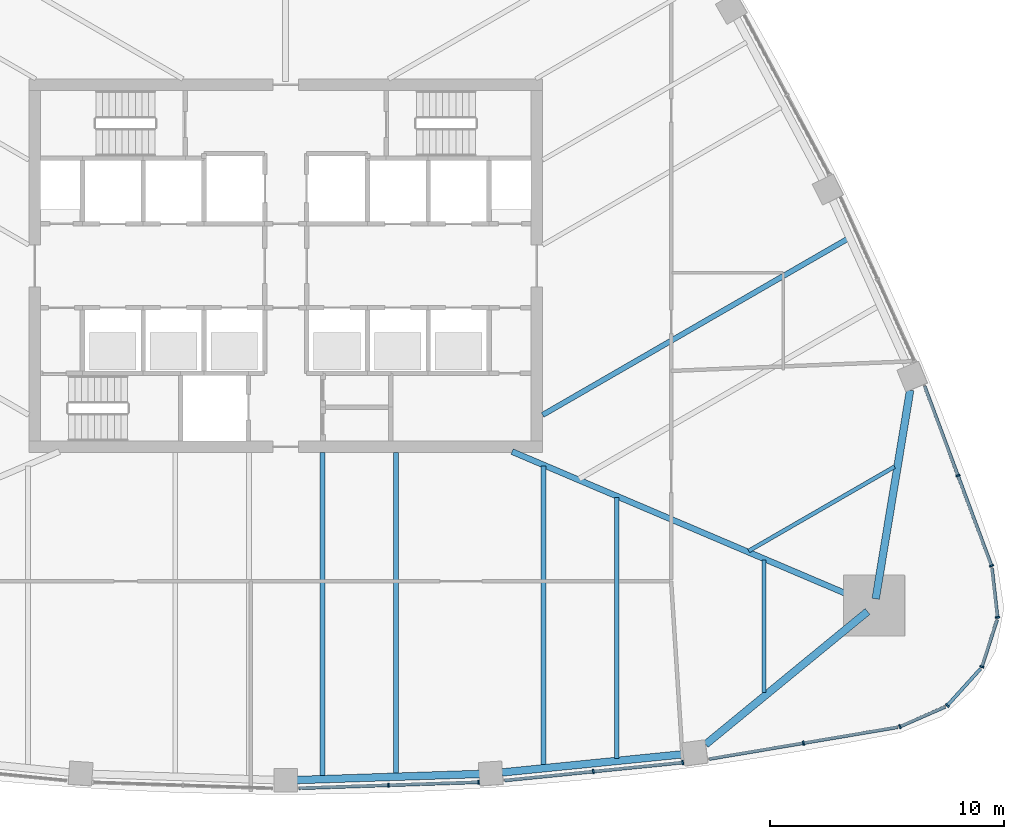
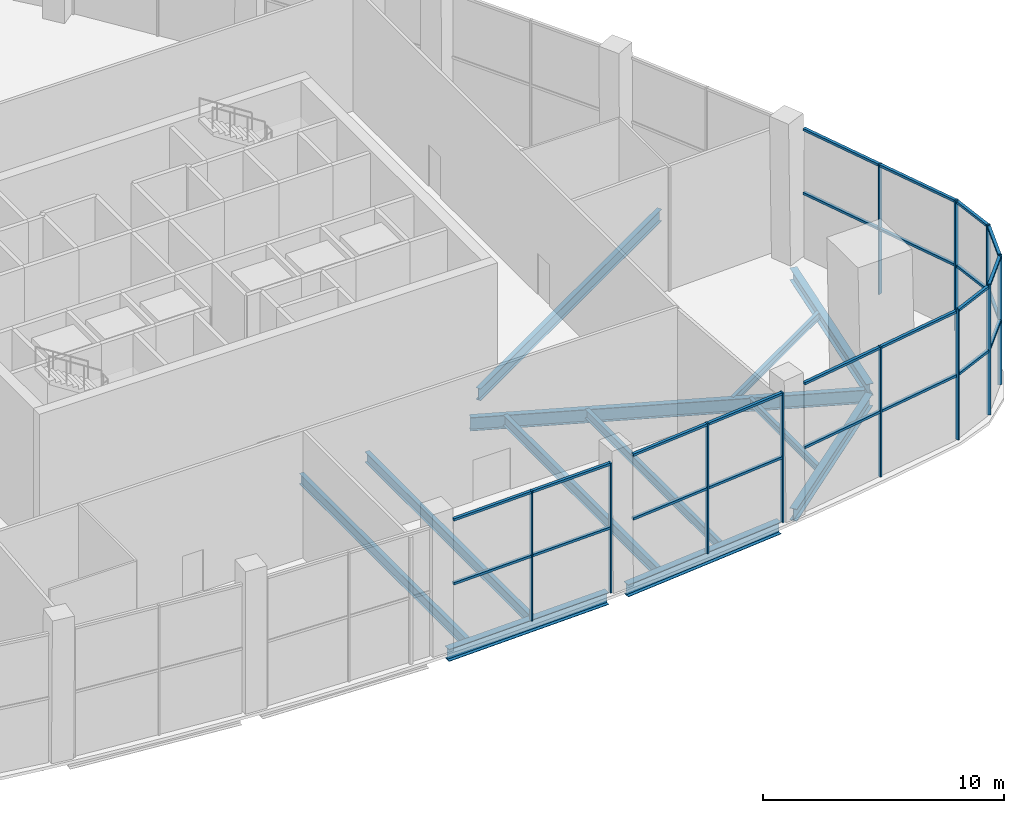
# One storey, part 4 of 15: 35 members, 12 beams, 8 elements without a shape of their own.
"""IFC4 building model written with IfcOpenShell, lengths in metres."""

from ifc_helpers import new_model, si_unit, direction, frame, origin, origin_2d, place, context, subcontext, project, spatial, rectangle, i_section, extrude, material, layer, layer_set, material_profile, profile_set, type_object, element, aggregate, save


model = new_model("IFC4")

# Units and contexts
model_context = context("Model", 3, precision=1e-05, world=origin(), true_north=direction((0.0, 1.0)))
body_context = subcontext(model_context, "Body", "Model", "MODEL_VIEW")
ifc_project = project(units=[si_unit("LENGTHUNIT", "METRE"), si_unit("AREAUNIT", "SQUARE_METRE"), si_unit("VOLUMEUNIT", "CUBIC_METRE"), si_unit("PLANEANGLEUNIT", "RADIAN"), si_unit("MASSUNIT", "GRAM", prefix="KILO")], contexts=[model_context])

# Site, building, storey
site_placement = place(None, origin())
site = spatial("IfcSite", under=ifc_project, at=site_placement, CompositionType="ELEMENT")
building_placement = place(site_placement, origin())
building = spatial("IfcBuilding", under=site, at=building_placement, Name="Sierra Prisma Convention Tower", CompositionType="ELEMENT")
storey_placement = place(building_placement, frame((0.0, 0.0, 118.60009765625)))
storey = spatial("IfcBuildingStorey", under=building, at=storey_placement, Name="L25", CompositionType="ELEMENT", Elevation=118.60009765625)

# Curtain wall, members
ifc_material_1 = material(Name="Aluminium and glass curtain wall", Category="aluminium")
ifc_layer = layer(ifc_material_1, 0.179931640625)
ifc_layer_set = layer_set([ifc_layer], Name="CW-4 Sky lobby double-height curtain wall")
curtain_wall_type = type_object("IfcCurtainWallType", Name="CW-4 Sky lobby double-height curtain wall", PredefinedType="NOTDEFINED", material=ifc_layer_set)
curtain_wall_1_placement = place(storey_placement, origin())
curtain_wall_1 = element("IfcCurtainWall", 1, at=curtain_wall_1_placement, inside=storey, type_object=curtain_wall_type, Name="CW-4 S4 L25", PredefinedType="NOTDEFINED")
ifc_material_2 = material(Name="Aluminium 6063-T6 bronze anodised", Category="aluminium")
ifc_material_profile_1 = material_profile(ifc_material_2, rectangle(XDim=0.179931640625, YDim=0.070068359375, at=origin_2d()), Name="ALU MULLION 70x180")
ifc_profile_set_1 = profile_set([ifc_material_profile_1], Name="Aluminium 6063-T6 bronze anodised")
member_type_1 = type_object("IfcMemberType", Name="CW mullion bronze", PredefinedType="MULLION", material=ifc_profile_set_1)
member_1_placement = place(storey_placement, frame((4.396728515625, -22.234619140625, 0.0), z_axis=(0.0, 0.0, 1.0), x_axis=(-0.03339525988, 0.999442222751, 0.0)))
member_1 = element("IfcMember", 2, at=member_1_placement, type_object=member_type_1, Name="CW-4 mullion S4.2", PredefinedType="MULLION", context=body_context, shape_type="SweptSolid", body=[
    extrude(rectangle(XDim=0.179931640625, YDim=0.070068359375, at=origin_2d()), origin(), (0.0, 0.0, 1.0), 6.599853515625),
])
member_2_placement = place(storey_placement, frame((8.259033203125, -22.10546875, 0.0), z_axis=(0.0, 0.0, 1.0), x_axis=(-0.03339525988, 0.999442222751, 0.0)))
member_2 = element("IfcMember", 3, at=member_2_placement, type_object=member_type_1, Name="CW-4 mullion S4.3", PredefinedType="MULLION", context=body_context, shape_type="SweptSolid", body=[
    extrude(rectangle(XDim=0.179931640625, YDim=0.070068359375, at=origin_2d()), origin(), (0.0, 0.0, 1.0), 6.599853515625),
])

curtain_wall_2_placement = place(storey_placement, origin())
curtain_wall_2 = element("IfcCurtainWall", 4, at=curtain_wall_2_placement, inside=storey, type_object=curtain_wall_type, Name="CW-4 S5 L25", PredefinedType="NOTDEFINED")
member_3_placement = place(storey_placement, frame((13.16748046875, -21.648681640625, 0.0), z_axis=(0.0, 0.0, 1.0), x_axis=(-0.100036804271, 0.994983737451, 0.0)))
member_3 = element("IfcMember", 5, at=member_3_placement, type_object=member_type_1, Name="CW-4 mullion S5.2", PredefinedType="MULLION", context=body_context, shape_type="SweptSolid", body=[
    extrude(rectangle(XDim=0.179931640625, YDim=0.070068359375, at=origin_2d()), origin(), (0.0, 0.0, 1.0), 6.599853515625),
])
member_4_placement = place(storey_placement, frame((16.996337890625, -21.263671875, 0.0), z_axis=(0.0, 0.0, 1.0), x_axis=(-0.100036804271, 0.994983737451, 0.0)))
member_4 = element("IfcMember", 6, at=member_4_placement, type_object=member_type_1, Name="CW-4 mullion S5.3", PredefinedType="MULLION", context=body_context, shape_type="SweptSolid", body=[
    extrude(rectangle(XDim=0.179931640625, YDim=0.070068359375, at=origin_2d()), origin(), (0.0, 0.0, 1.0), 6.599853515625),
])

# Curtain wall, member
curtain_wall_3_placement = place(storey_placement, origin())
curtain_wall_3 = element("IfcCurtainWall", 7, at=curtain_wall_3_placement, inside=storey, type_object=curtain_wall_type, Name="CW-4 S6 L25", PredefinedType="NOTDEFINED")
member_5_placement = place(storey_placement, frame((22.164306640625, -20.431884765625, 0.0), z_axis=(0.0, 0.0, 1.0), x_axis=(-0.166232087109, 0.986086656038, 0.0)))
member_5 = element("IfcMember", 8, at=member_5_placement, type_object=member_type_1, Name="CW-4 mullion S6.2", PredefinedType="MULLION", context=body_context, shape_type="SweptSolid", body=[
    extrude(rectangle(XDim=0.179931640625, YDim=0.070068359375, at=origin_2d()), origin(), (0.0, 0.0, 1.0), 6.599853515625),
])

curtain_wall_4_placement = place(storey_placement, origin())
curtain_wall_4 = element("IfcCurtainWall", 9, at=curtain_wall_4_placement, inside=storey, type_object=curtain_wall_type, Name="CW-4 SE1 L25", PredefinedType="NOTDEFINED")
member_6_placement = place(storey_placement, frame((26.294189453125, -19.72705078125, 0.0), z_axis=(0.0, 0.0, 1.0), x_axis=(-0.400539902868, 0.916279316699, 0.0)))
member_6 = element("IfcMember", 10, at=member_6_placement, type_object=member_type_1, Name="CW-4 mullion SE1.1", PredefinedType="MULLION", context=body_context, shape_type="SweptSolid", body=[
    extrude(rectangle(XDim=0.179931640625, YDim=0.070068359375, at=origin_2d()), origin(), (0.0, 0.0, 1.0), 6.599853515625),
])

curtain_wall_5_placement = place(storey_placement, origin())
curtain_wall_5 = element("IfcCurtainWall", 11, at=curtain_wall_5_placement, inside=storey, type_object=curtain_wall_type, Name="CW-4 SE2 L25", PredefinedType="NOTDEFINED")
member_7_placement = place(storey_placement, frame((28.323486328125, -18.82421875, 0.0), z_axis=(0.0, 0.0, 1.0), x_axis=(-0.741632255323, 0.670806676968, 0.0)))
member_7 = element("IfcMember", 12, at=member_7_placement, type_object=member_type_1, Name="CW-4 mullion SE2.1", PredefinedType="MULLION", context=body_context, shape_type="SweptSolid", body=[
    extrude(rectangle(XDim=0.179931640625, YDim=0.070068359375, at=origin_2d()), origin(), (0.0, 0.0, 1.0), 6.599853515625),
])

curtain_wall_6_placement = place(storey_placement, origin())
curtain_wall_6 = element("IfcCurtainWall", 13, at=curtain_wall_6_placement, inside=storey, type_object=curtain_wall_type, Name="CW-4 SE3 L25", PredefinedType="NOTDEFINED")
member_8_placement = place(storey_placement, frame((29.802978515625, -17.167236328125, 0.0), z_axis=(0.0, 0.0, 1.0), x_axis=(-0.951751750944, 0.306869034892, 0.0)))
member_8 = element("IfcMember", 14, at=member_8_placement, type_object=member_type_1, Name="CW-4 mullion SE3.1", PredefinedType="MULLION", context=body_context, shape_type="SweptSolid", body=[
    extrude(rectangle(XDim=0.179931640625, YDim=0.070068359375, at=origin_2d()), origin(), (0.0, 0.0, 1.0), 6.599853515625),
])

curtain_wall_7_placement = place(storey_placement, origin())
curtain_wall_7 = element("IfcCurtainWall", 15, at=curtain_wall_7_placement, inside=storey, type_object=curtain_wall_type, Name="CW-4 SE4 L25", PredefinedType="NOTDEFINED")
member_9_placement = place(storey_placement, frame((30.470947265625, -15.048828125, 0.0), z_axis=(0.0, 0.0, 1.0), x_axis=(-0.993791116658, -0.111261927236, 0.0)))
member_9 = element("IfcMember", 16, at=member_9_placement, type_object=member_type_1, Name="CW-4 mullion SE4.1", PredefinedType="MULLION", context=body_context, shape_type="SweptSolid", body=[
    extrude(rectangle(XDim=0.179931640625, YDim=0.070068359375, at=origin_2d()), origin(), (0.0, 0.0, 1.0), 6.599853515625),
])

# Curtain wall, members
curtain_wall_8_placement = place(storey_placement, origin())
curtain_wall_8 = element("IfcCurtainWall", 17, at=curtain_wall_8_placement, inside=storey, type_object=curtain_wall_type, Name="CW-4 NE1 L25", PredefinedType="NOTDEFINED")
member_10_placement = place(storey_placement, frame((30.215087890625, -12.84033203125, 0.0), z_axis=(0.0, 0.0, 1.0), x_axis=(-0.937092138016, -0.349082117659, 0.0)))
member_10 = element("IfcMember", 18, at=member_10_placement, type_object=member_type_1, Name="CW-4 mullion NE1.1", PredefinedType="MULLION", context=body_context, shape_type="SweptSolid", body=[
    extrude(rectangle(XDim=0.179931640625, YDim=0.070068359375, at=origin_2d()), origin(), (0.0, 0.0, 1.0), 6.599853515625),
])
member_11_placement = place(storey_placement, frame((28.776611328125, -8.97900390625, 0.0), z_axis=(0.0, 0.0, 1.0), x_axis=(-0.937092138016, -0.349082117659, 0.0)))
member_11 = element("IfcMember", 19, at=member_11_placement, type_object=member_type_1, Name="CW-4 mullion NE1.2", PredefinedType="MULLION", context=body_context, shape_type="SweptSolid", body=[
    extrude(rectangle(XDim=0.179931640625, YDim=0.070068359375, at=origin_2d()), origin(), (0.0, 0.0, 1.0), 6.599853515625),
])

# Member
ifc_material_3 = material(Name="Aluminium 6063-T6 bronze anodised", Category="aluminium")
ifc_material_profile_2 = material_profile(ifc_material_3, rectangle(XDim=0.139892578125, YDim=0.1201171875, at=origin_2d()), Name="ALU TRANSOM 120x140")
ifc_profile_set_2 = profile_set([ifc_material_profile_2], Name="Aluminium 6063-T6 bronze anodised")
member_type_2 = type_object("IfcMemberType", Name="CW transom bronze", PredefinedType="USERDEFINED", material=ifc_profile_set_2)
member_12_placement = place(storey_placement, frame((0.569580078125, -22.3623046875, 6.539794921875), z_axis=(0.999442261553, 0.033394098612, 0.0), x_axis=(-0.033394098612, 0.999442261553, 0.0)))
member_12 = element("IfcMember", 20, at=member_12_placement, type_object=member_type_2, Name="CW-4 transom S4.1", ObjectType="TRANSOM", PredefinedType="USERDEFINED", context=body_context, shape_type="SweptSolid", body=[
    extrude(rectangle(XDim=0.139892578125, YDim=0.1201171875, at=origin_2d()), origin(), (0.0, 0.0, 1.0), 3.79443359375),
])

member_13_placement = place(storey_placement, frame((0.569580078125, -22.3623046875, 3.2998046875), z_axis=(0.999442261553, 0.033394098612, 0.0), x_axis=(-0.033394098612, 0.999442261553, 0.0)))
member_13 = element("IfcMember", 21, at=member_13_placement, type_object=member_type_2, Name="CW-4 transom S4.1 mid", ObjectType="TRANSOM", PredefinedType="USERDEFINED", context=body_context, shape_type="SweptSolid", body=[
    extrude(rectangle(XDim=0.139892578125, YDim=0.1201171875, at=origin_2d()), origin(), (0.0, 0.0, 1.0), 3.79443359375),
])

member_14_placement = place(storey_placement, frame((4.431884765625, -22.2333984375, 6.539794921875), z_axis=(0.999442189793, 0.033396246234, 0.0), x_axis=(-0.033396246234, 0.999442189793, 0.0)))
member_14 = element("IfcMember", 22, at=member_14_placement, type_object=member_type_2, Name="CW-4 transom S4.2", ObjectType="TRANSOM", PredefinedType="USERDEFINED", context=body_context, shape_type="SweptSolid", body=[
    extrude(rectangle(XDim=0.139892578125, YDim=0.1201171875, at=origin_2d()), origin(), (0.0, 0.0, 1.0), 3.794189453125),
])

member_15_placement = place(storey_placement, frame((4.431884765625, -22.2333984375, 3.2998046875), z_axis=(0.999442189793, 0.033396246234, 0.0), x_axis=(-0.033396246234, 0.999442189793, 0.0)))
member_15 = element("IfcMember", 23, at=member_15_placement, type_object=member_type_2, Name="CW-4 transom S4.2 mid", ObjectType="TRANSOM", PredefinedType="USERDEFINED", context=body_context, shape_type="SweptSolid", body=[
    extrude(rectangle(XDim=0.139892578125, YDim=0.1201171875, at=origin_2d()), origin(), (0.0, 0.0, 1.0), 3.794189453125),
])

aggregate(curtain_wall_1, [member_1, member_2, member_12, member_13, member_14, member_15])

member_16_placement = place(storey_placement, frame((9.37353515625, -22.0302734375, 6.539794921875), z_axis=(0.994977509315, 0.100098731047, 0.0), x_axis=(-0.100098731047, 0.994977509315, 0.0)))
member_16 = element("IfcMember", 24, at=member_16_placement, type_object=member_type_2, Name="CW-4 transom S5.1", ObjectType="TRANSOM", PredefinedType="USERDEFINED", context=body_context, shape_type="SweptSolid", body=[
    extrude(rectangle(XDim=0.139892578125, YDim=0.1201171875, at=origin_2d()), origin(), (0.0, 0.0, 1.0), 3.778076171875),
])

member_17_placement = place(storey_placement, frame((9.37353515625, -22.0302734375, 3.2998046875), z_axis=(0.994977509315, 0.100098731047, 0.0), x_axis=(-0.100098731047, 0.994977509315, 0.0)))
member_17 = element("IfcMember", 25, at=member_17_placement, type_object=member_type_2, Name="CW-4 transom S5.1 mid", ObjectType="TRANSOM", PredefinedType="USERDEFINED", context=body_context, shape_type="SweptSolid", body=[
    extrude(rectangle(XDim=0.139892578125, YDim=0.1201171875, at=origin_2d()), origin(), (0.0, 0.0, 1.0), 3.778076171875),
])

member_18_placement = place(storey_placement, frame((13.202392578125, -21.645263671875, 6.539794921875), z_axis=(0.994983943344, 0.1000347564, 0.0), x_axis=(-0.1000347564, 0.994983943344, 0.0)))
member_18 = element("IfcMember", 26, at=member_18_placement, type_object=member_type_2, Name="CW-4 transom S5.2", ObjectType="TRANSOM", PredefinedType="USERDEFINED", context=body_context, shape_type="SweptSolid", body=[
    extrude(rectangle(XDim=0.139892578125, YDim=0.1201171875, at=origin_2d()), origin(), (0.0, 0.0, 1.0), 3.778076171875),
])

member_19_placement = place(storey_placement, frame((13.202392578125, -21.645263671875, 3.2998046875), z_axis=(0.994983943344, 0.1000347564, 0.0), x_axis=(-0.1000347564, 0.994983943344, 0.0)))
member_19 = element("IfcMember", 27, at=member_19_placement, type_object=member_type_2, Name="CW-4 transom S5.2 mid", ObjectType="TRANSOM", PredefinedType="USERDEFINED", context=body_context, shape_type="SweptSolid", body=[
    extrude(rectangle(XDim=0.139892578125, YDim=0.1201171875, at=origin_2d()), origin(), (0.0, 0.0, 1.0), 3.778076171875),
])

aggregate(curtain_wall_2, [member_3, member_4, member_16, member_17, member_18, member_19])

member_20_placement = place(storey_placement, frame((18.135498046875, -21.111083984375, 6.539794921875), z_axis=(0.98608595414, 0.166236250704, 0.0), x_axis=(-0.166236250704, 0.98608595414, 0.0)))
member_20 = element("IfcMember", 28, at=member_20_placement, type_object=member_type_2, Name="CW-4 transom S6.1", ObjectType="TRANSOM", PredefinedType="USERDEFINED", context=body_context, shape_type="SweptSolid", body=[
    extrude(rectangle(XDim=0.139892578125, YDim=0.1201171875, at=origin_2d()), origin(), (0.0, 0.0, 1.0), 4.050537109375),
])

member_21_placement = place(storey_placement, frame((18.135498046875, -21.111083984375, 3.2998046875), z_axis=(0.98608595414, 0.166236250704, 0.0), x_axis=(-0.166236250704, 0.98608595414, 0.0)))
member_21 = element("IfcMember", 29, at=member_21_placement, type_object=member_type_2, Name="CW-4 transom S6.1 mid", ObjectType="TRANSOM", PredefinedType="USERDEFINED", context=body_context, shape_type="SweptSolid", body=[
    extrude(rectangle(XDim=0.139892578125, YDim=0.1201171875, at=origin_2d()), origin(), (0.0, 0.0, 1.0), 4.050537109375),
])

member_22_placement = place(storey_placement, frame((22.19873046875, -20.426025390625, 6.539794921875), z_axis=(0.986087619638, 0.166226370941, 0.0), x_axis=(-0.166226370941, 0.986087619638, 0.0)))
member_22 = element("IfcMember", 30, at=member_22_placement, type_object=member_type_2, Name="CW-4 transom S6.2", ObjectType="TRANSOM", PredefinedType="USERDEFINED", context=body_context, shape_type="SweptSolid", body=[
    extrude(rectangle(XDim=0.139892578125, YDim=0.1201171875, at=origin_2d()), origin(), (0.0, 0.0, 1.0), 4.05078125),
])

member_23_placement = place(storey_placement, frame((22.19873046875, -20.426025390625, 3.2998046875), z_axis=(0.986087619638, 0.166226370941, 0.0), x_axis=(-0.166226370941, 0.986087619638, 0.0)))
member_23 = element("IfcMember", 31, at=member_23_placement, type_object=member_type_2, Name="CW-4 transom S6.2 mid", ObjectType="TRANSOM", PredefinedType="USERDEFINED", context=body_context, shape_type="SweptSolid", body=[
    extrude(rectangle(XDim=0.139892578125, YDim=0.1201171875, at=origin_2d()), origin(), (0.0, 0.0, 1.0), 4.05078125),
])

aggregate(curtain_wall_3, [member_5, member_20, member_21, member_22, member_23])

member_24_placement = place(storey_placement, frame((26.326171875, -19.712890625, 6.539794921875), z_axis=(0.916310497457, 0.400468565871, 0.0), x_axis=(-0.400468565871, 0.916310497457, 0.0)))
member_24 = element("IfcMember", 32, at=member_24_placement, type_object=member_type_2, Name="CW-4 transom SE1.1", ObjectType="TRANSOM", PredefinedType="USERDEFINED", context=body_context, shape_type="SweptSolid", body=[
    extrude(rectangle(XDim=0.139892578125, YDim=0.1201171875, at=origin_2d()), origin(), (0.0, 0.0, 1.0), 2.084228515625),
])

member_25_placement = place(storey_placement, frame((26.326171875, -19.712890625, 3.2998046875), z_axis=(0.916310497457, 0.400468565871, 0.0), x_axis=(-0.400468565871, 0.916310497457, 0.0)))
member_25 = element("IfcMember", 33, at=member_25_placement, type_object=member_type_2, Name="CW-4 transom SE1.1 mid", ObjectType="TRANSOM", PredefinedType="USERDEFINED", context=body_context, shape_type="SweptSolid", body=[
    extrude(rectangle(XDim=0.139892578125, YDim=0.1201171875, at=origin_2d()), origin(), (0.0, 0.0, 1.0), 2.084228515625),
])

aggregate(curtain_wall_4, [member_6, member_24, member_25])

member_26_placement = place(storey_placement, frame((28.34716796875, -18.798095703125, 6.539794921875), z_axis=(0.670781413883, 0.741655105011, 0.0), x_axis=(-0.741655105011, 0.670781413883, 0.0)))
member_26 = element("IfcMember", 34, at=member_26_placement, type_object=member_type_2, Name="CW-4 transom SE2.1", ObjectType="TRANSOM", PredefinedType="USERDEFINED", context=body_context, shape_type="SweptSolid", body=[
    extrude(rectangle(XDim=0.139892578125, YDim=0.1201171875, at=origin_2d()), origin(), (0.0, 0.0, 1.0), 2.083984375),
])

member_27_placement = place(storey_placement, frame((28.34716796875, -18.798095703125, 3.2998046875), z_axis=(0.670781413883, 0.741655105011, 0.0), x_axis=(-0.741655105011, 0.670781413883, 0.0)))
member_27 = element("IfcMember", 35, at=member_27_placement, type_object=member_type_2, Name="CW-4 transom SE2.1 mid", ObjectType="TRANSOM", PredefinedType="USERDEFINED", context=body_context, shape_type="SweptSolid", body=[
    extrude(rectangle(XDim=0.139892578125, YDim=0.1201171875, at=origin_2d()), origin(), (0.0, 0.0, 1.0), 2.083984375),
])

aggregate(curtain_wall_5, [member_7, member_26, member_27])

member_28_placement = place(storey_placement, frame((29.813720703125, -17.1337890625, 6.539794921875), z_axis=(0.306793993206, 0.951775943031, 0.0), x_axis=(-0.951775943031, 0.306793993206, 0.0)))
member_28 = element("IfcMember", 36, at=member_28_placement, type_object=member_type_2, Name="CW-4 transom SE3.1", ObjectType="TRANSOM", PredefinedType="USERDEFINED", context=body_context, shape_type="SweptSolid", body=[
    extrude(rectangle(XDim=0.139892578125, YDim=0.1201171875, at=origin_2d()), origin(), (0.0, 0.0, 1.0), 2.084228515625),
])

member_29_placement = place(storey_placement, frame((29.813720703125, -17.1337890625, 3.2998046875), z_axis=(0.306793993206, 0.951775943031, 0.0), x_axis=(-0.951775943031, 0.306793993206, 0.0)))
member_29 = element("IfcMember", 37, at=member_29_placement, type_object=member_type_2, Name="CW-4 transom SE3.1 mid", ObjectType="TRANSOM", PredefinedType="USERDEFINED", context=body_context, shape_type="SweptSolid", body=[
    extrude(rectangle(XDim=0.139892578125, YDim=0.1201171875, at=origin_2d()), origin(), (0.0, 0.0, 1.0), 2.084228515625),
])

aggregate(curtain_wall_6, [member_8, member_28, member_29])

member_30_placement = place(storey_placement, frame((30.467041015625, -15.013916015625, 6.539794921875), z_axis=(-0.11128001379, 0.993789091574, 0.0), x_axis=(-0.993789091574, -0.11128001379, 0.0)))
member_30 = element("IfcMember", 38, at=member_30_placement, type_object=member_type_2, Name="CW-4 transom SE4.1", ObjectType="TRANSOM", PredefinedType="USERDEFINED", context=body_context, shape_type="SweptSolid", body=[
    extrude(rectangle(XDim=0.139892578125, YDim=0.1201171875, at=origin_2d()), origin(), (0.0, 0.0, 1.0), 2.084228515625),
])

member_31_placement = place(storey_placement, frame((30.467041015625, -15.013916015625, 3.2998046875), z_axis=(-0.11128001379, 0.993789091574, 0.0), x_axis=(-0.993789091574, -0.11128001379, 0.0)))
member_31 = element("IfcMember", 39, at=member_31_placement, type_object=member_type_2, Name="CW-4 transom SE4.1 mid", ObjectType="TRANSOM", PredefinedType="USERDEFINED", context=body_context, shape_type="SweptSolid", body=[
    extrude(rectangle(XDim=0.139892578125, YDim=0.1201171875, at=origin_2d()), origin(), (0.0, 0.0, 1.0), 2.084228515625),
])

aggregate(curtain_wall_7, [member_9, member_30, member_31])

member_32_placement = place(storey_placement, frame((30.202880859375, -12.8076171875, 6.539794921875), z_axis=(-0.349088268131, 0.937089846841, 0.0), x_axis=(-0.937089846841, -0.349088268131, 0.0)))
member_32 = element("IfcMember", 40, at=member_32_placement, type_object=member_type_2, Name="CW-4 transom NE1.1", ObjectType="TRANSOM", PredefinedType="USERDEFINED", context=body_context, shape_type="SweptSolid", body=[
    extrude(rectangle(XDim=0.139892578125, YDim=0.1201171875, at=origin_2d()), origin(), (0.0, 0.0, 1.0), 4.05078125),
])

member_33_placement = place(storey_placement, frame((30.202880859375, -12.8076171875, 3.2998046875), z_axis=(-0.349088268131, 0.937089846841, 0.0), x_axis=(-0.937089846841, -0.349088268131, 0.0)))
member_33 = element("IfcMember", 41, at=member_33_placement, type_object=member_type_2, Name="CW-4 transom NE1.1 mid", ObjectType="TRANSOM", PredefinedType="USERDEFINED", context=body_context, shape_type="SweptSolid", body=[
    extrude(rectangle(XDim=0.139892578125, YDim=0.1201171875, at=origin_2d()), origin(), (0.0, 0.0, 1.0), 4.05078125),
])

member_34_placement = place(storey_placement, frame((28.764404296875, -8.946044921875, 6.539794921875), z_axis=(-0.349107985366, 0.937082501466, 0.0), x_axis=(-0.937082501466, -0.349107985366, 0.0)))
member_34 = element("IfcMember", 42, at=member_34_placement, type_object=member_type_2, Name="CW-4 transom NE1.2", ObjectType="TRANSOM", PredefinedType="USERDEFINED", context=body_context, shape_type="SweptSolid", body=[
    extrude(rectangle(XDim=0.139892578125, YDim=0.1201171875, at=origin_2d()), origin(), (0.0, 0.0, 1.0), 4.050537109375),
])

member_35_placement = place(storey_placement, frame((28.764404296875, -8.946044921875, 3.2998046875), z_axis=(-0.349107985366, 0.937082501466, 0.0), x_axis=(-0.937082501466, -0.349107985366, 0.0)))
member_35 = element("IfcMember", 43, at=member_35_placement, type_object=member_type_2, Name="CW-4 transom NE1.2 mid", ObjectType="TRANSOM", PredefinedType="USERDEFINED", context=body_context, shape_type="SweptSolid", body=[
    extrude(rectangle(XDim=0.139892578125, YDim=0.1201171875, at=origin_2d()), origin(), (0.0, 0.0, 1.0), 4.050537109375),
])

aggregate(curtain_wall_8, [member_10, member_11, member_32, member_33, member_34, member_35])

# Beams
ifc_material_4 = material(Name="Steel ASTM A992 Gr 50", Category="steel")
ifc_material_profile_3 = material_profile(ifc_material_4, i_section(OverallWidth=0.172119140625, OverallDepth=0.35791015625, WebThickness=0.0078125, FlangeThickness=0.01318359375, at=origin_2d()), Name="W360x57")
ifc_profile_set_3 = profile_set([ifc_material_profile_3], Name="Steel ASTM A992 Gr 50")
beam_type_1 = type_object("IfcBeamType", Name="Floor joist W360x57", PredefinedType="JOIST", material=ifc_profile_set_3)
beam_1_placement = place(storey_placement, frame((20.48193359375, -18.273193359375, -0.3291015625), z_axis=(0.0, 1.0, 0.0), x_axis=(-1.0, 0.0, 0.0)))
element("IfcBeam", 44, at=beam_1_placement, inside=storey, type_object=beam_type_1, Name="Floor joist L25 S15", PredefinedType="JOIST", context=body_context, shape_type="SweptSolid", body=[
    extrude(i_section(OverallWidth=0.172119140625, OverallDepth=0.35791015625, WebThickness=0.0078125, FlangeThickness=0.01318359375, at=origin_2d()), origin(), (0.0, 0.0, 1.0), 5.67431640625),
])
beam_2_placement = place(storey_placement, frame((26.06591796875, -8.60107421875, -0.3291015625), z_axis=(-0.866022099498, -0.500005723148, 0.0), x_axis=(0.500005723148, -0.866022099498, 0.0)))
element("IfcBeam", 45, at=beam_2_placement, inside=storey, type_object=beam_type_1, Name="Floor joist L25 NE02", PredefinedType="JOIST", context=body_context, shape_type="SweptSolid", body=[
    extrude(i_section(OverallWidth=0.172119140625, OverallDepth=0.35791015625, WebThickness=0.0078125, FlangeThickness=0.01318359375, at=origin_2d()), origin(), (0.0, 0.0, 1.0), 7.2119140625),
])
ifc_material_5 = material(Name="Steel ASTM A992 Gr 50", Category="steel")
ifc_material_profile_4 = material_profile(ifc_material_5, i_section(OverallWidth=0.18994140625, OverallDepth=0.45703125, WebThickness=0.009033203125, FlangeThickness=0.014404296875, at=origin_2d()), Name="W460x74")
ifc_profile_set_4 = profile_set([ifc_material_profile_4], Name="Steel ASTM A992 Gr 50")
beam_type_2 = type_object("IfcBeamType", Name="Floor joist W460x74", PredefinedType="JOIST", material=ifc_profile_set_4)
beam_3_placement = place(storey_placement, frame((14.1796875, -21.08203125, -0.378662109375), z_axis=(0.0, 1.0, 0.0), x_axis=(-1.0, 0.0, 0.0)))
element("IfcBeam", 46, at=beam_3_placement, inside=storey, type_object=beam_type_2, Name="Floor joist L25 S13", PredefinedType="JOIST", context=body_context, shape_type="SweptSolid", body=[
    extrude(i_section(OverallWidth=0.18994140625, OverallDepth=0.45703125, WebThickness=0.009033203125, FlangeThickness=0.014404296875, at=origin_2d()), origin(), (0.0, 0.0, 1.0), 11.163818359375),
])
ifc_material_6 = material(Name="Steel ASTM A992 Gr 50", Category="steel")
ifc_material_profile_5 = material_profile(ifc_material_6, i_section(OverallWidth=0.208984375, OverallDepth=0.532958984375, WebThickness=0.01025390625, FlangeThickness=0.015625, at=origin_2d()), Name="W530x92")
ifc_profile_set_5 = profile_set([ifc_material_profile_5], Name="Steel ASTM A992 Gr 50")
beam_type_3 = type_object("IfcBeamType", Name="Floor joist W530x92", PredefinedType="JOIST", material=ifc_profile_set_5)
beam_4_placement = place(storey_placement, frame((1.575439453125, -21.8662109375, -0.41650390625), z_axis=(0.0, 1.0, 0.0), x_axis=(-1.0, 0.0, 0.0)))
element("IfcBeam", 47, at=beam_4_placement, inside=storey, type_object=beam_type_3, Name="Floor joist L25 S09", PredefinedType="JOIST", context=body_context, shape_type="SweptSolid", body=[
    extrude(i_section(OverallWidth=0.208984375, OverallDepth=0.532958984375, WebThickness=0.01025390625, FlangeThickness=0.015625, at=origin_2d()), origin(), (0.0, 0.0, 1.0), 13.8662109375),
])
beam_5_placement = place(storey_placement, frame((4.7265625, -21.760986328125, -0.41650390625), z_axis=(0.0, 1.0, 0.0), x_axis=(-1.0, 0.0, 0.0)))
element("IfcBeam", 48, at=beam_5_placement, inside=storey, type_object=beam_type_3, Name="Floor joist L25 S10", PredefinedType="JOIST", context=body_context, shape_type="SweptSolid", body=[
    extrude(i_section(OverallWidth=0.208984375, OverallDepth=0.532958984375, WebThickness=0.01025390625, FlangeThickness=0.015625, at=origin_2d()), origin(), (0.0, 0.0, 1.0), 13.760986328125),
])
beam_6_placement = place(storey_placement, frame((11.028564453125, -21.39892578125, -0.41650390625), z_axis=(0.0, 1.0, 0.0), x_axis=(-1.0, 0.0, 0.0)))
element("IfcBeam", 49, at=beam_6_placement, inside=storey, type_object=beam_type_3, Name="Floor joist L25 S12", PredefinedType="JOIST", context=body_context, shape_type="SweptSolid", body=[
    extrude(i_section(OverallWidth=0.208984375, OverallDepth=0.532958984375, WebThickness=0.01025390625, FlangeThickness=0.015625, at=origin_2d()), origin(), (0.0, 0.0, 1.0), 12.821044921875),
])
ifc_material_7 = material(Name="Steel ASTM A992 Gr 50", Category="steel")
ifc_material_profile_6 = material_profile(ifc_material_7, i_section(OverallWidth=0.22802734375, OverallDepth=0.60302734375, WebThickness=0.010498046875, FlangeThickness=0.014892578125, at=origin_2d()), Name="W610x101")
ifc_profile_set_6 = profile_set([ifc_material_profile_6], Name="Steel ASTM A992 Gr 50")
beam_type_4 = type_object("IfcBeamType", Name="Floor joist W610x101", PredefinedType="JOIST", material=ifc_profile_set_6)
beam_7_placement = place(storey_placement, frame((24.04638671875, 1.148193359375, -0.45166015625), z_axis=(-0.866028517328, -0.499994607145, 0.0), x_axis=(0.499994607145, -0.866028517328, 0.0)))
element("IfcBeam", 50, at=beam_7_placement, inside=storey, type_object=beam_type_4, Name="Floor joist L25 NE05", PredefinedType="JOIST", context=body_context, shape_type="SweptSolid", body=[
    extrude(i_section(OverallWidth=0.22802734375, OverallDepth=0.60302734375, WebThickness=0.010498046875, FlangeThickness=0.014892578125, at=origin_2d()), origin(), (0.0, 0.0, 1.0), 15.064697265625),
])
ifc_material_8 = material(Name="Steel ASTM A992 Gr 50", Category="steel")
ifc_material_profile_7 = material_profile(ifc_material_8, i_section(OverallWidth=0.25390625, OverallDepth=0.68408203125, WebThickness=0.012451171875, FlangeThickness=0.018798828125, at=origin_2d()), Name="W690x140")
ifc_profile_set_7 = profile_set([ifc_material_profile_7], Name="Steel ASTM A992 Gr 50")
beam_type_5 = type_object("IfcBeamType", Name="Radial girder W690x140", PredefinedType="BEAM", material=ifc_profile_set_7)
beam_8_placement = place(storey_placement, frame((24.908447265625, -14.426513671875, -0.4921875), z_axis=(-0.920215166131, 0.391412886888, 0.0), x_axis=(-0.391412886888, -0.920215166131, 0.0)))
element("IfcBeam", 51, at=beam_8_placement, inside=storey, type_object=beam_type_5, Name="Radial girder L25 SE", PredefinedType="BEAM", context=body_context, shape_type="SweptSolid", body=[
    extrude(i_section(OverallWidth=0.25390625, OverallDepth=0.68408203125, WebThickness=0.012451171875, FlangeThickness=0.018798828125, at=origin_2d()), origin(), (0.0, 0.0, 1.0), 16.53857421875),
])
ifc_material_9 = material(Name="Steel ASTM A992 Gr 50", Category="steel")
ifc_material_profile_8 = material_profile(ifc_material_9, i_section(OverallWidth=0.324951171875, OverallDepth=0.615966796875, WebThickness=0.013916015625, FlangeThickness=0.021484375, at=origin_2d()), Name="W610x174")
ifc_profile_set_8 = profile_set([ifc_material_profile_8], Name="Steel ASTM A992 Gr 50")
beam_type_6 = type_object("IfcBeamType", Name="Spandrel beam W610x174", PredefinedType="BEAM", material=ifc_profile_set_8)
beam_9_placement = place(storey_placement, frame((0.47998046875, -22.015380859375, -0.4580078125), z_axis=(0.999442932009, 0.033374026691, 0.0), x_axis=(-0.033374026691, 0.999442932009, 0.0)))
element("IfcBeam", 52, at=beam_9_placement, inside=storey, type_object=beam_type_6, Name="Spandrel L25-04", PredefinedType="BEAM", context=body_context, shape_type="SweptSolid", body=[
    extrude(i_section(OverallWidth=0.324951171875, OverallDepth=0.615966796875, WebThickness=0.013916015625, FlangeThickness=0.021484375, at=origin_2d()), origin(), (0.0, 0.0, 1.0), 7.827392578125),
])
beam_10_placement = place(storey_placement, frame((9.260986328125, -21.68994140625, -0.4580078125), z_axis=(0.994981135368, 0.10006268166, 0.0), x_axis=(-0.10006268166, 0.994981135368, 0.0)))
element("IfcBeam", 53, at=beam_10_placement, inside=storey, type_object=beam_type_6, Name="Spandrel L25-05", PredefinedType="BEAM", context=body_context, shape_type="SweptSolid", body=[
    extrude(i_section(OverallWidth=0.324951171875, OverallDepth=0.615966796875, WebThickness=0.013916015625, FlangeThickness=0.021484375, at=origin_2d()), origin(), (0.0, 0.0, 1.0), 7.8271484375),
])
beam_11_placement = place(storey_placement, frame((17.979248046875, -20.4873046875, -0.4580078125), z_axis=(0.772990491714, 0.634417606722, 0.0), x_axis=(-0.634417606722, 0.772990491714, 0.0)))
element("IfcBeam", 54, at=beam_11_placement, inside=storey, type_object=beam_type_6, Name="Spandrel L25-06", PredefinedType="BEAM", context=body_context, shape_type="SweptSolid", body=[
    extrude(i_section(OverallWidth=0.324951171875, OverallDepth=0.615966796875, WebThickness=0.013916015625, FlangeThickness=0.021484375, at=origin_2d()), origin(), (0.0, 0.0, 1.0), 8.964111328125),
])
beam_12_placement = place(storey_placement, frame((25.258056640625, -14.254150390625, -0.4580078125), z_axis=(0.162941802276, 0.986635682038, 0.0), x_axis=(-0.986635682038, 0.162941802276, 0.0)))
element("IfcBeam", 55, at=beam_12_placement, inside=storey, type_object=beam_type_6, Name="Spandrel L25-07", PredefinedType="BEAM", context=body_context, shape_type="SweptSolid", body=[
    extrude(i_section(OverallWidth=0.324951171875, OverallDepth=0.615966796875, WebThickness=0.013916015625, FlangeThickness=0.021484375, at=origin_2d()), origin(), (0.0, 0.0, 1.0), 9.04833984375),
])

save(model, "model.ifc")
